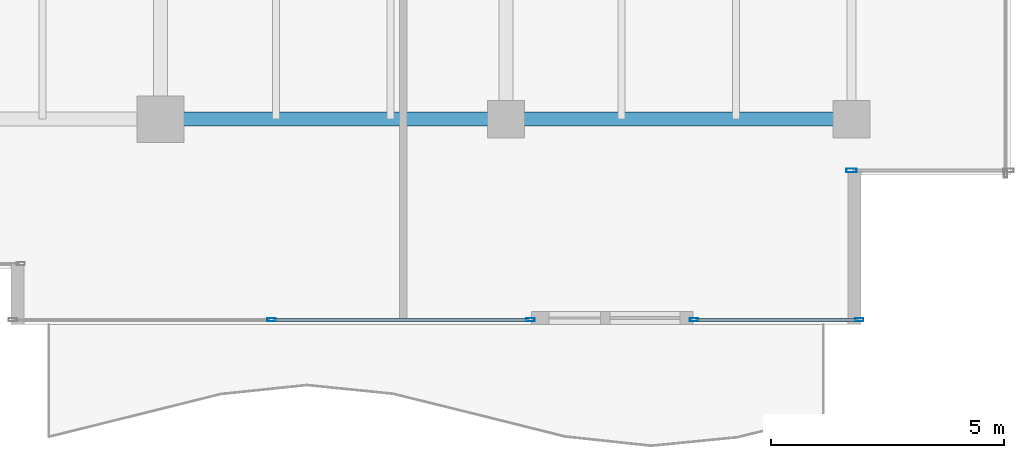
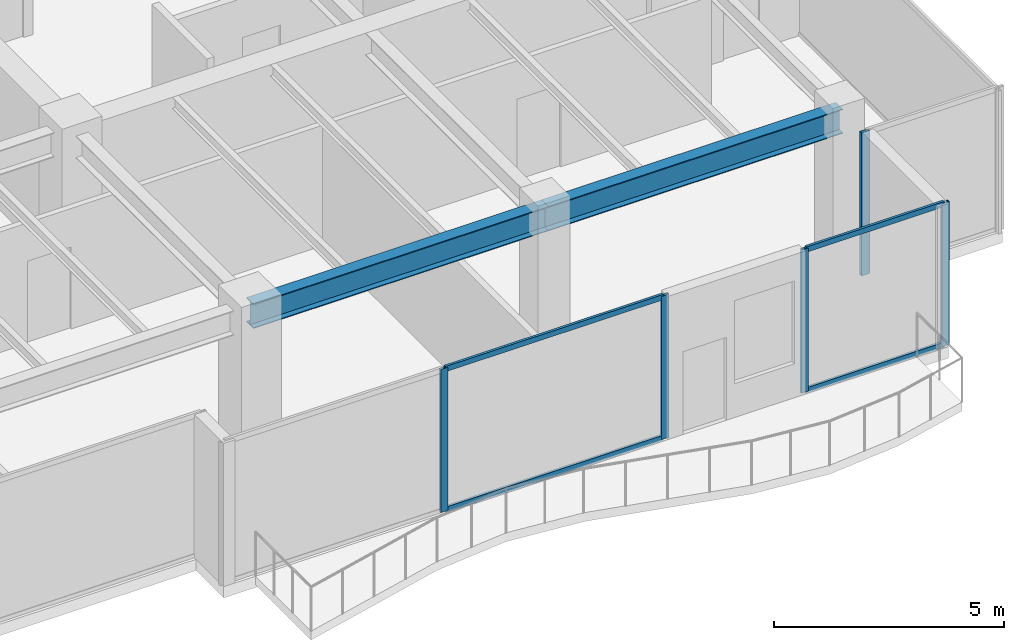
# One storey, part 12 of 34: 9 members, 2 beams, 3 elements without a shape of their own.
"""IFC4 building model written with IfcOpenShell, lengths in metres."""

from ifc_helpers import new_model, si_unit, direction, frame, origin, origin_2d, place, context, subcontext, project, spatial, hollow_rectangle, i_section, extrude, source, transform, mapped, material, layer, layer_set, material_profile, profile_set, type_object, type_shapes, element, aggregate, save


model = new_model("IFC4")

# Units and contexts
model_context = context("Model", 3, precision=1e-05, world=origin(), true_north=direction((0.0, 1.0)))
body_context = subcontext(model_context, "Body", "Model", "MODEL_VIEW")
ifc_project = project(units=[si_unit("LENGTHUNIT", "METRE"), si_unit("AREAUNIT", "SQUARE_METRE"), si_unit("VOLUMEUNIT", "CUBIC_METRE"), si_unit("PLANEANGLEUNIT", "RADIAN"), si_unit("MASSUNIT", "GRAM", prefix="KILO")], contexts=[model_context])

# Site, building, storey
site_placement = place(None, origin())
site = spatial("IfcSite", under=ifc_project, at=site_placement, CompositionType="ELEMENT")
building_placement = place(site_placement, origin())
building = spatial("IfcBuilding", under=site, at=building_placement, Name="Haelvirn Gate Laboratories", CompositionType="ELEMENT")
storey_placement = place(building_placement, frame((0.0, 0.0, 205.5)))
storey = spatial("IfcBuildingStorey", under=building, at=storey_placement, Name="L49", CompositionType="ELEMENT", Elevation=205.5)

# Beams
ifc_material_1 = material(Name="Steel SM355", Category="steel")
ifc_material_profile_1 = material_profile(ifc_material_1, i_section(OverallWidth=0.300048828125, OverallDepth=0.64990234375, WebThickness=0.012939453125, FlangeThickness=0.02197265625, at=origin_2d()), Name="H-650x300x13x22")
ifc_profile_set_1 = profile_set([ifc_material_profile_1], Name="Steel SM355")
beam_type = type_object("IfcBeamType", Name="BM-G-650", PredefinedType="BEAM", material=ifc_profile_set_1)
shared_shape_1 = source(origin(), body_context, "Body", "SweptSolid", [
    extrude(i_section(OverallWidth=0.300048828125, OverallDepth=0.64990234375, WebThickness=0.012939453125, FlangeThickness=0.02197265625, at=origin_2d()), origin(), (0.0, 0.0, 1.0), 7.39990234375),
])
type_shapes(beam_type, [shared_shape_1])
for number, where, z_axis, x_axis, name in (
    (1, (52.60009765625, 7.0, 3.47509765625), (1.0, 0.0, 0.0), (0.0, 1.0, 0.0), "L49 Primary Girder Y7.0 (52.6-60.0)"),
    (2, (60.0, 7.0, 3.47509765625), (1.0, 0.0, 0.0), (0.0, 1.0, 0.0), "L49 Primary Girder Y7.0 (60.0-67.4)"),
):
    element("IfcBeam", number, at=place(storey_placement, frame(where, z_axis=z_axis, x_axis=x_axis)), inside=storey, type_object=beam_type, Name=name, PredefinedType="BEAM", context=body_context, shape_type="MappedRepresentation", body=[
        mapped(shared_shape_1, transform((0.0, 0.0, 0.0), scale=1.0)),
    ])

# Curtain wall, members
ifc_material_2 = material(Name="Anodised bronze unitised aluminium & triple low-E glass", Category="aluminium")
ifc_layer_1 = layer(ifc_material_2, 0.176025390625, Name="CW-SYS-4")
ifc_layer_set_1 = layer_set([ifc_layer_1], Name="Anodised bronze unitised aluminium & triple low-E glass")
curtain_wall_type_1 = type_object("IfcCurtainWallType", Name="CW-SYS-4", PredefinedType="NOTDEFINED", material=ifc_layer_set_1)
curtain_wall_1_placement = place(storey_placement, origin())
curtain_wall_1 = element("IfcCurtainWall", 3, at=curtain_wall_1_placement, inside=storey, type_object=curtain_wall_type_1, Name="L49 Unitised Curtain Wall CW-L49-P0-E04-1", PredefinedType="NOTDEFINED")
ifc_material_3 = material(Name="Extruded aluminium 6063-T6 (anodised bronze)", Category="aluminium")
ifc_material_profile_2 = material_profile(ifc_material_3, hollow_rectangle(XDim=0.070068359375, YDim=0.179931640625, WallThickness=0.0048828125, at=origin_2d()), Name="CWM-180x70x5")
ifc_profile_set_2 = profile_set([ifc_material_profile_2], Name="Extruded aluminium 6063-T6 (anodised bronze)")
member_type_1 = type_object("IfcMemberType", Name="CWM-T180", PredefinedType="MULLION", material=ifc_profile_set_2)
shared_shape_2 = source(origin(), body_context, "Body", "SweptSolid", [
    extrude(hollow_rectangle(XDim=0.070068359375, YDim=0.179931640625, WallThickness=0.0048828125, at=origin_2d()), origin(), (0.0, 0.0, 1.0), 3.800048828125),
])
type_shapes(member_type_1, [shared_shape_2])
member_1_placement = place(storey_placement, frame((54.9775390625, 2.699951171875, 0.0), z_axis=(0.0, 0.0, 1.0), x_axis=(0.0, 1.0, 0.0)))
member_1 = element("IfcMember", 4, at=member_1_placement, type_object=member_type_1, Name="CW4 mullion 2", PredefinedType="MULLION", context=body_context, shape_type="MappedRepresentation", body=[
    mapped(shared_shape_2, transform((0.0, 0.0, 0.0), scale=1.0)),
])
member_2_placement = place(storey_placement, frame((60.52001953125, 2.699951171875, 0.0), z_axis=(0.0, 0.0, 1.0), x_axis=(0.0, 1.0, 0.0)))
member_2 = element("IfcMember", 5, at=member_2_placement, type_object=member_type_1, Name="CW4 mullion 3", PredefinedType="MULLION", context=body_context, shape_type="MappedRepresentation", body=[
    mapped(shared_shape_2, transform((0.0, 0.0, 0.0), scale=1.0)),
])

curtain_wall_2_placement = place(storey_placement, origin())
curtain_wall_2 = element("IfcCurtainWall", 6, at=curtain_wall_2_placement, inside=storey, type_object=curtain_wall_type_1, Name="L49 Unitised Curtain Wall CW-L49-P0-E04-2", PredefinedType="NOTDEFINED")
member_3_placement = place(storey_placement, frame((64.030029296875, 2.699951171875, 0.0), z_axis=(0.0, 0.0, 1.0), x_axis=(0.0, 1.0, 0.0)))
member_3 = element("IfcMember", 7, at=member_3_placement, type_object=member_type_1, Name="CW4 mullion 1", PredefinedType="MULLION", context=body_context, shape_type="MappedRepresentation", body=[
    mapped(shared_shape_2, transform((0.0, 0.0, 0.0), scale=1.0)),
])
member_4_placement = place(storey_placement, frame((67.56494140625, 2.699951171875, 0.0), z_axis=(0.0, 0.0, 1.0), x_axis=(0.0, 1.0, 0.0)))
member_4 = element("IfcMember", 8, at=member_4_placement, type_object=member_type_1, Name="CW4 mullion 2", PredefinedType="MULLION", context=body_context, shape_type="MappedRepresentation", body=[
    mapped(shared_shape_2, transform((0.0, 0.0, 0.0), scale=1.0)),
])

# Curtain wall, member
ifc_layer_2 = layer(ifc_material_2, 0.181884765625, Name="CW-SYS-5")
ifc_layer_set_2 = layer_set([ifc_layer_2], Name="Anodised bronze unitised aluminium & triple low-E glass")
curtain_wall_type_2 = type_object("IfcCurtainWallType", Name="CW-SYS-5", PredefinedType="NOTDEFINED", material=ifc_layer_set_2)
curtain_wall_3_placement = place(storey_placement, origin())
curtain_wall_3 = element("IfcCurtainWall", 9, at=curtain_wall_3_placement, inside=storey, type_object=curtain_wall_type_2, Name="L49 Unitised Curtain Wall CW-L49-P0-E06-1", PredefinedType="NOTDEFINED")
ifc_material_profile_3 = material_profile(ifc_material_3, hollow_rectangle(XDim=0.080078125, YDim=0.219970703125, WallThickness=0.006103515625, at=origin_2d()), Name="CWM-220x80x6")
ifc_profile_set_3 = profile_set([ifc_material_profile_3], Name="Extruded aluminium 6063-T6 (anodised bronze)")
member_type_2 = type_object("IfcMemberType", Name="CWM-T220", PredefinedType="MULLION", material=ifc_profile_set_3)
shared_shape_3 = source(origin(), body_context, "Body", "SweptSolid", [
    extrude(hollow_rectangle(XDim=0.080078125, YDim=0.219970703125, WallThickness=0.006103515625, at=origin_2d()), origin(), (0.0, 0.0, 1.0), 3.800048828125),
])
type_shapes(member_type_2, [shared_shape_3])
member_5_placement = place(storey_placement, frame((67.39990234375, 5.89990234375, 0.0), z_axis=(0.0, 0.0, 1.0), x_axis=(0.0, 1.0, 0.0)))
member_5 = element("IfcMember", 10, at=member_5_placement, type_object=member_type_2, Name="CW5 mullion 1", PredefinedType="MULLION", context=body_context, shape_type="MappedRepresentation", body=[
    mapped(shared_shape_3, transform((0.0, 0.0, 0.0), scale=1.0)),
])
aggregate(curtain_wall_3, [member_5])

# Member
ifc_material_profile_4 = material_profile(ifc_material_3, hollow_rectangle(XDim=0.06494140625, YDim=0.139892578125, WallThickness=0.00390625, at=origin_2d()), Name="CWT-140x65x4")
ifc_profile_set_4 = profile_set([ifc_material_profile_4], Name="Extruded aluminium 6063-T6 (anodised bronze)")
member_type_3 = type_object("IfcMemberType", Name="CWT-T140", PredefinedType="USERDEFINED", material=ifc_profile_set_4)
shared_shape_4 = source(origin(), body_context, "Body", "SweptSolid", [
    extrude(hollow_rectangle(XDim=0.06494140625, YDim=0.139892578125, WallThickness=0.00390625, at=origin_2d()), origin(), (0.0, 0.0, 1.0), 5.47265625),
])
member_6_placement = place(storey_placement, frame((55.012451171875, 2.699951171875, 0.032470703125), z_axis=(1.0, 0.0, 0.0), x_axis=(0.0, 1.0, 0.0)))
member_6 = element("IfcMember", 11, at=member_6_placement, type_object=member_type_3, Name="CW4 transom 2.1", ObjectType="TRANSOM", PredefinedType="USERDEFINED", context=body_context, shape_type="MappedRepresentation", body=[
    mapped(shared_shape_4, transform((0.0, 0.0, 0.0), scale=1.0)),
])

member_7_placement = place(storey_placement, frame((55.012451171875, 2.699951171875, 3.767578125), z_axis=(1.0, 0.0, 0.0), x_axis=(0.0, 1.0, 0.0)))
member_7 = element("IfcMember", 12, at=member_7_placement, type_object=member_type_3, Name="CW4 transom 2.2", ObjectType="TRANSOM", PredefinedType="USERDEFINED", context=body_context, shape_type="MappedRepresentation", body=[
    mapped(shared_shape_4, transform((0.0, 0.0, 0.0), scale=1.0)),
])

aggregate(curtain_wall_1, [member_1, member_2, member_6, member_7])

shared_shape_5 = source(origin(), body_context, "Body", "SweptSolid", [
    extrude(hollow_rectangle(XDim=0.06494140625, YDim=0.139892578125, WallThickness=0.00390625, at=origin_2d()), origin(), (0.0, 0.0, 1.0), 3.465087890625),
])
type_shapes(member_type_3, [shared_shape_4, shared_shape_5])
member_8_placement = place(storey_placement, frame((64.06494140625, 2.699951171875, 0.032470703125), z_axis=(1.0, 0.0, 0.0), x_axis=(0.0, 1.0, 0.0)))
member_8 = element("IfcMember", 13, at=member_8_placement, type_object=member_type_3, Name="CW4 transom 1.1", ObjectType="TRANSOM", PredefinedType="USERDEFINED", context=body_context, shape_type="MappedRepresentation", body=[
    mapped(shared_shape_5, transform((0.0, 0.0, 0.0), scale=1.0)),
])

member_9_placement = place(storey_placement, frame((64.06494140625, 2.699951171875, 3.767578125), z_axis=(1.0, 0.0, 0.0), x_axis=(0.0, 1.0, 0.0)))
member_9 = element("IfcMember", 14, at=member_9_placement, type_object=member_type_3, Name="CW4 transom 1.2", ObjectType="TRANSOM", PredefinedType="USERDEFINED", context=body_context, shape_type="MappedRepresentation", body=[
    mapped(shared_shape_5, transform((0.0, 0.0, 0.0), scale=1.0)),
])

aggregate(curtain_wall_2, [member_3, member_4, member_8, member_9])

save(model, "model.ifc")
